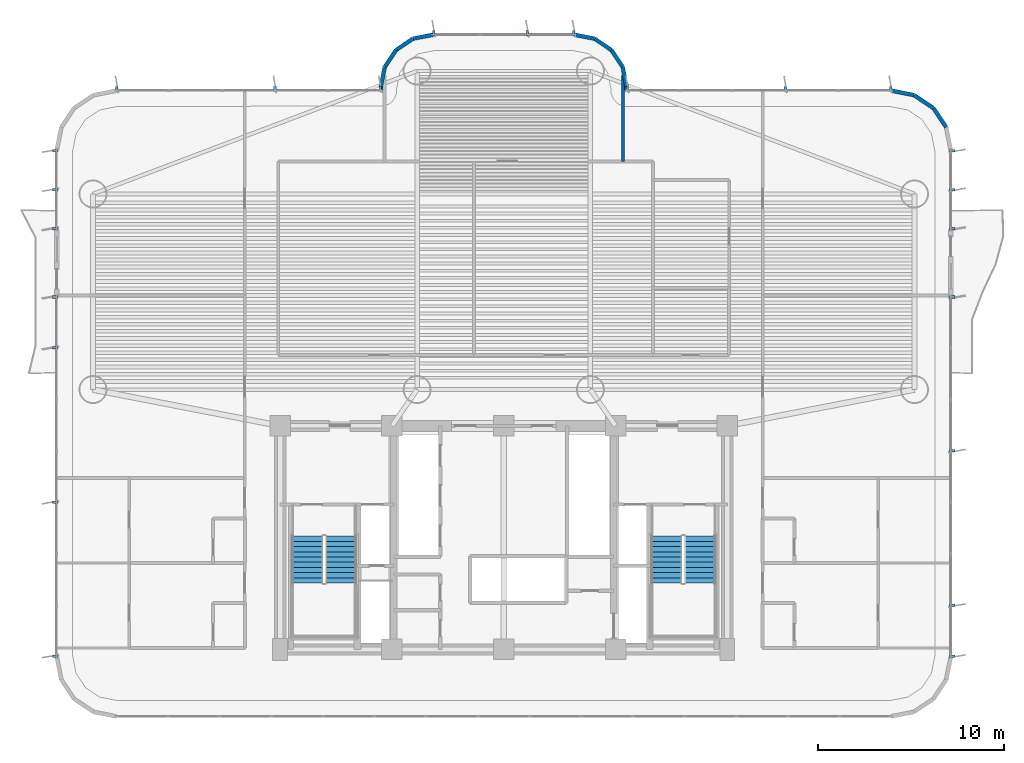
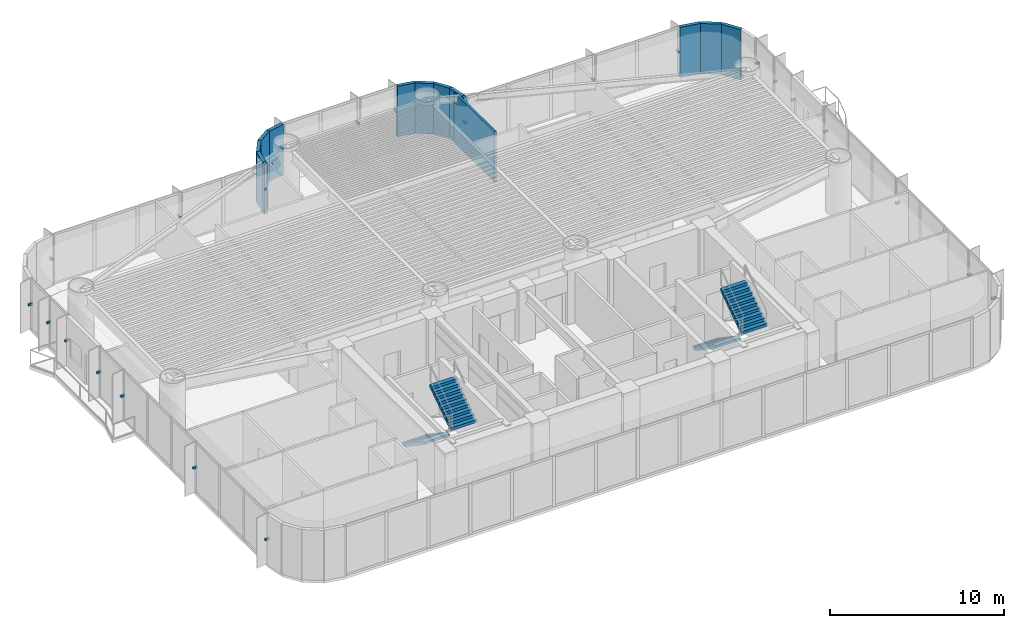
# One storey, part 13 of 17: 23 discrete accessories, 14 walls, 4 stair flights, 2 elements without a shape of their own.
"""IFC4 building model written with IfcOpenShell, lengths in metres."""

from ifc_helpers import new_model, si_unit, direction, frame, frame_2d, origin, origin_2d, place, context, subcontext, project, spatial, polyline, rectangle, outline, extrude, source, transform, mapped, material, layer, layer_set, type_object, element, aggregate, save


model = new_model("IFC4")

# Units and contexts
model_context = context("Model", 3, precision=1e-05, world=origin(), true_north=direction((0.0, 1.0)))
body_context = subcontext(model_context, "Body", "Model", "MODEL_VIEW")
ifc_project = project(units=[si_unit("LENGTHUNIT", "METRE"), si_unit("AREAUNIT", "SQUARE_METRE"), si_unit("VOLUMEUNIT", "CUBIC_METRE"), si_unit("PLANEANGLEUNIT", "RADIAN"), si_unit("MASSUNIT", "GRAM", prefix="KILO")], contexts=[model_context])

# Site, building, storey
site_placement = place(None, origin())
site = spatial("IfcSite", under=ifc_project, at=site_placement, CompositionType="ELEMENT")
building_placement = place(site_placement, origin())
building = spatial("IfcBuilding", under=site, at=building_placement, Name="Brelvock Crest Care Tower", CompositionType="ELEMENT")
storey_placement = place(building_placement, frame((0.0, 0.0, 45.89990234375)))
storey = spatial("IfcBuildingStorey", under=building, at=storey_placement, Name="L11", CompositionType="ELEMENT", Elevation=45.89990234375)

# Walls
ifc_material_1 = material(Name="Precast concrete N40 (40 MPa)", Category="concrete")
ifc_layer_1 = layer(ifc_material_1, 0.215087890625, Name="WL-EX2")
ifc_layer_set_1 = layer_set([ifc_layer_1], Name="Precast concrete N40 (40 MPa)")
wall_type_1 = type_object("IfcWallType", Name="WL-EX2", PredefinedType="SOLIDWALL", material=ifc_layer_set_1)
for number, where, z_axis, x_axis, name in (
    (1, (58.024658203125, 35.75634765625, 0.0), (0.0, 0.0, 1.0), (0.831478245117, -0.555557312883, 0.0), "L11 Rounded Corner Wall 00"),
    (2, (59.062744140625, 35.062744140625, 0.0), (0.0, 0.0, 1.0), (0.555557312883, -0.831478245117, 0.0), "L11 Rounded Corner Wall 01"),
):
    element("IfcWall", number, at=place(storey_placement, frame(where, z_axis=z_axis, x_axis=x_axis)), inside=storey, type_object=wall_type_1, Name=name, PredefinedType="SOLIDWALL", context=body_context, shape_type="SweptSolid", body=[
        extrude(rectangle(XDim=1.24853515625, YDim=0.215087890625, at=frame_2d((0.624267578125, 0.0))), origin(), (0.0, 0.0, 1.0), 3.530029296875),
    ])
wall_1_placement = place(storey_placement, frame((29.39990234375, 36.0, 0.0), z_axis=(0.0, 0.0, 1.0), x_axis=(0.0, 1.0, 0.0)))
element("IfcWall", 3, at=wall_1_placement, inside=storey, type_object=wall_type_1, Name="L11 Rounded Corner Wall 19", PredefinedType="SOLIDWALL", context=body_context, shape_type="SweptSolid", body=[
    extrude(rectangle(XDim=0.199951171875, YDim=0.215087890625, at=frame_2d((0.10009765625, 0.0))), origin(), (0.0, 0.0, 1.0), 3.530029296875),
])
wall_2_placement = place(storey_placement, frame((29.39990234375, 36.199951171875, 0.0), z_axis=(0.0, 0.0, 1.0), x_axis=(0.195084651288, 0.980786408364, 0.0)))
element("IfcWall", 4, at=wall_2_placement, inside=storey, type_object=wall_type_1, Name="L11 Rounded Corner Wall 20", PredefinedType="SOLIDWALL", context=body_context, shape_type="SweptSolid", body=[
    extrude(rectangle(XDim=1.092529296875, YDim=0.215087890625, at=frame_2d((0.54638671875, 0.0))), origin(), (0.0, 0.0, 1.0), 3.530029296875),
])
wall_3_placement = place(storey_placement, frame((29.613037109375, 37.271484375, 0.0), z_axis=(0.0, 0.0, 1.0), x_axis=(0.555679482341, 0.831396603857, 0.0)))
element("IfcWall", 5, at=wall_3_placement, inside=storey, type_object=wall_type_1, Name="L11 Rounded Corner Wall 21", PredefinedType="SOLIDWALL", context=body_context, shape_type="SweptSolid", body=[
    extrude(rectangle(XDim=1.0927734375, YDim=0.215087890625, at=frame_2d((0.54638671875, 0.0))), origin(), (0.0, 0.0, 1.0), 3.530029296875),
])
wall_4_placement = place(storey_placement, frame((30.22021484375, 38.179931640625, 0.0), z_axis=(0.0, 0.0, 1.0), x_axis=(0.831430845238, 0.555628247651, 0.0)))
element("IfcWall", 6, at=wall_4_placement, inside=storey, type_object=wall_type_1, Name="L11 Rounded Corner Wall 22", PredefinedType="SOLIDWALL", context=body_context, shape_type="SweptSolid", body=[
    extrude(rectangle(XDim=1.09228515625, YDim=0.215087890625, at=frame_2d((0.546142578125, 0.0))), origin(), (0.0, 0.0, 1.0), 3.530029296875),
])
for number, where, z_axis, x_axis, name in (
    (7, (31.12841796875, 38.786865234375, 0.0), (0.0, 0.0, 1.0), (0.980786408364, 0.195084651288, 0.0), "L11 Rounded Corner Wall 23"),
    (8, (39.800048828125, 39.0, 0.0), (0.0, 0.0, 1.0), (0.980786408364, -0.195084651288, 0.0), "L11 Rounded Corner Wall 25"),
):
    element("IfcWall", number, at=place(storey_placement, frame(where, z_axis=z_axis, x_axis=x_axis)), inside=storey, type_object=wall_type_1, Name=name, PredefinedType="SOLIDWALL", context=body_context, shape_type="SweptSolid", body=[
        extrude(rectangle(XDim=1.092529296875, YDim=0.215087890625, at=frame_2d((0.54638671875, 0.0))), origin(), (0.0, 0.0, 1.0), 3.530029296875),
    ])
wall_5_placement = place(storey_placement, frame((40.87158203125, 38.786865234375, 0.0), z_axis=(0.0, 0.0, 1.0), x_axis=(0.831430845238, -0.555628247651, 0.0)))
element("IfcWall", 9, at=wall_5_placement, inside=storey, type_object=wall_type_1, Name="L11 Rounded Corner Wall 26", PredefinedType="SOLIDWALL", context=body_context, shape_type="SweptSolid", body=[
    extrude(rectangle(XDim=1.09228515625, YDim=0.215087890625, at=frame_2d((0.546142578125, 0.0))), origin(), (0.0, 0.0, 1.0), 3.530029296875),
])
wall_6_placement = place(storey_placement, frame((41.77978515625, 38.179931640625, 0.0), z_axis=(0.0, 0.0, 1.0), x_axis=(0.555679482341, -0.831396603857, 0.0)))
element("IfcWall", 10, at=wall_6_placement, inside=storey, type_object=wall_type_1, Name="L11 Rounded Corner Wall 27", PredefinedType="SOLIDWALL", context=body_context, shape_type="SweptSolid", body=[
    extrude(rectangle(XDim=1.0927734375, YDim=0.215087890625, at=frame_2d((0.54638671875, 0.0))), origin(), (0.0, 0.0, 1.0), 3.530029296875),
])
wall_7_placement = place(storey_placement, frame((42.386962890625, 37.271484375, 0.0), z_axis=(0.0, 0.0, 1.0), x_axis=(0.195084651288, -0.980786408364, 0.0)))
element("IfcWall", 11, at=wall_7_placement, inside=storey, type_object=wall_type_1, Name="L11 Rounded Corner Wall 28", PredefinedType="SOLIDWALL", context=body_context, shape_type="SweptSolid", body=[
    extrude(rectangle(XDim=1.092529296875, YDim=0.215087890625, at=frame_2d((0.54638671875, 0.0))), origin(), (0.0, 0.0, 1.0), 3.530029296875),
])
wall_8_placement = place(storey_placement, frame((42.60009765625, 36.199951171875, 0.0), z_axis=(0.0, 0.0, 1.0), x_axis=(0.0, -1.0, 0.0)))
element("IfcWall", 12, at=wall_8_placement, inside=storey, type_object=wall_type_1, Name="L11 Rounded Corner Wall 29", PredefinedType="SOLIDWALL", context=body_context, shape_type="SweptSolid", body=[
    extrude(rectangle(XDim=0.199951171875, YDim=0.215087890625, at=frame_2d((0.10009765625, 0.0))), origin(), (0.0, 0.0, 1.0), 3.530029296875),
])
wall_9_placement = place(storey_placement, frame((56.800048828125, 36.0, 0.0), z_axis=(0.0, 0.0, 1.0), x_axis=(0.980775717779, -0.195138390419, 0.0)))
element("IfcWall", 13, at=wall_9_placement, inside=storey, type_object=wall_type_1, Name="L11 Rounded Corner Wall 31", PredefinedType="SOLIDWALL", context=body_context, shape_type="SweptSolid", body=[
    extrude(rectangle(XDim=1.24853515625, YDim=0.215087890625, at=frame_2d((0.624267578125, 0.0))), origin(), (0.0, 0.0, 1.0), 3.530029296875),
])
ifc_material_2 = material(Name="Masonry Blockwork Acoustic Partition", Category="masonry")
ifc_layer_2 = layer(ifc_material_2, 0.14990234375, Name="WL-INT1")
ifc_layer_set_2 = layer_set([ifc_layer_2], Name="Masonry Blockwork Acoustic Partition")
wall_type_2 = type_object("IfcWallType", Name="WL-INT1", PredefinedType="PARTITIONING", material=ifc_layer_set_2)
wall_10_placement = place(storey_placement, frame((42.39990234375, 32.199951171875, 0.0), z_axis=(0.0, 0.0, 1.0), x_axis=(0.0, 1.0, 0.0)))
element("IfcWall", 14, at=wall_10_placement, inside=storey, type_object=wall_type_2, Name="L11 Interior Wall WL-BX-L11-NHUB-E", PredefinedType="PARTITIONING", context=body_context, shape_type="SweptSolid", body=[
    extrude(rectangle(XDim=4.595458984375, YDim=0.14990234375, at=frame_2d((2.2978515625, 0.0))), origin(), (0.0, 0.0, 1.0), 3.5),
])

# Stair, stair flights
ifc_material_3 = material(Name="Concrete N40 (40 MPa)", Category="concrete")
stair_type = type_object("IfcStairType", Name="ST-CORE1", PredefinedType="HALF_TURN_STAIR", material=ifc_material_3)
stair_1_placement = place(storey_placement, origin())
stair_1 = element("IfcStair", 15, at=stair_1_placement, inside=storey, type_object=stair_type, Name="L11 Fire-Isolated Core Stair ST-1", PredefinedType="HALF_TURN_STAIR")
stair_flight_type = type_object("IfcStairFlightType", Name="STF-1", PredefinedType="STRAIGHT", material=ifc_material_3)
stair_flight_1_placement = place(storey_placement, frame((25.469970703125, 12.080078125, 0.0), z_axis=(0.0, 0.0, 1.0), x_axis=(0.0, -1.0, 0.0)))
stair_flight_1 = element("IfcStairFlight", 16, at=stair_flight_1_placement, type_object=stair_flight_type, Name="ST-1 flight 1", NumberOfRisers=10, NumberOfTreads=9, PredefinedType="STRAIGHT", RiserHeight=0.189, TreadLength=0.28, context=body_context, shape_type="SweptSolid", body=[
    extrude(outline(polyline([(-0.00390625, -0.014892578125), (-0.00390625, -0.0078125), (-0.00390625, -0.00048828125), (-0.00390625, 0.0068359375), (-0.00390625, 0.01416015625), (-0.00390625, 0.021484375), (-0.00390625, 0.02880859375), (-0.00390625, 0.035888671875), (-0.00390625, 0.043212890625), (-0.00390625, 0.050537109375), (-0.00390625, 0.057861328125), (-0.00390625, 0.065185546875), (-0.00390625, 0.072509765625), (-0.00390625, 0.07958984375), (-0.00390625, 0.0869140625), (-0.00390625, 0.09423828125), (-0.00390625, 0.1015625), (-0.00390625, 0.10888671875), (-0.00390625, 0.1162109375), (-0.00390625, 0.12353515625), (-0.00390625, 0.130615234375), (-0.00390625, 0.137939453125), (-0.00390625, 0.145263671875), (-0.00390625, 0.152587890625), (-0.00390625, 0.159912109375), (-0.00390625, 0.167236328125), (-0.00390625, 0.17431640625), (-0.00390625, 0.181640625), (-0.00390625, 0.18896484375), (0.0, 0.18896484375), (0.280029296875, 0.18896484375), (0.280029296875, 0.3779296875), (0.56005859375, 0.3779296875), (0.56005859375, 0.56689453125), (0.840087890625, 0.56689453125), (0.840087890625, 0.756103515625), (1.1201171875, 0.756103515625), (1.1201171875, 0.945068359375), (1.39990234375, 0.945068359375), (1.39990234375, 1.134033203125), (1.679931640625, 1.134033203125), (1.679931640625, 1.322998046875), (1.9599609375, 1.322998046875), (1.9599609375, 1.511962890625), (2.239990234375, 1.511962890625), (2.239990234375, 1.700927734375), (2.52001953125, 1.700927734375), (2.52392578125, 1.700927734375), (2.523681640625, 1.70068359375), (2.52392578125, 1.700439453125), (2.523681640625, 1.699951171875), (2.52392578125, 1.69970703125), (2.523681640625, 1.699462890625), (2.52392578125, 1.698974609375), (2.523681640625, 1.69873046875), (2.52392578125, 1.698486328125), (2.523681640625, 1.697998046875), (2.52392578125, 1.69775390625), (2.523681640625, 1.697509765625), (2.52392578125, 1.697021484375), (2.523681640625, 1.69677734375), (2.52392578125, 1.696533203125), (2.523681640625, 1.6962890625), (2.52392578125, 1.69580078125), (2.523681640625, 1.695556640625), (2.52392578125, 1.6953125), (2.523681640625, 1.69482421875), (2.52392578125, 1.694580078125), (2.523681640625, 1.6943359375), (2.52392578125, 1.69384765625), (2.523681640625, 1.693603515625), (2.52392578125, 1.693359375), (2.523681640625, 1.69287109375), (2.52392578125, 1.692626953125), (2.523681640625, 1.6923828125), (2.52392578125, 1.69189453125), (2.52001953125, 1.520263671875), (0.267822265625, 0.0), (0.0, 0.0), (0.0, -0.014892578125), (-0.00390625, -0.014892578125)])), frame((0.0, 0.83984375, 0.0), z_axis=(0.0, -1.0, 0.0), x_axis=(1.0, 0.0, 0.0)), (0.0, 0.0, 1.0), 1.679931640625),
])
stair_flight_2_placement = place(storey_placement, frame((27.27001953125, 9.56005859375, 1.89013671875), z_axis=(0.0, 0.0, 1.0), x_axis=(0.0, 1.0, 0.0)))
stair_flight_2 = element("IfcStairFlight", 17, at=stair_flight_2_placement, type_object=stair_flight_type, Name="ST-1 flight 2", NumberOfRisers=10, NumberOfTreads=9, PredefinedType="STRAIGHT", RiserHeight=0.189, TreadLength=0.28, context=body_context, shape_type="SweptSolid", body=[
    extrude(outline(polyline([(-0.00390625, -0.014892578125), (-0.00390625, -0.0078125), (-0.00390625, -0.00048828125), (-0.00390625, 0.0068359375), (-0.00390625, 0.01416015625), (-0.00390625, 0.021484375), (-0.00390625, 0.02880859375), (-0.00390625, 0.035888671875), (-0.00390625, 0.043212890625), (-0.00390625, 0.050537109375), (-0.00390625, 0.057861328125), (-0.00390625, 0.065185546875), (-0.00390625, 0.072509765625), (-0.00390625, 0.07958984375), (-0.00390625, 0.0869140625), (-0.00390625, 0.09423828125), (-0.00390625, 0.1015625), (-0.00390625, 0.10888671875), (-0.00390625, 0.1162109375), (-0.00390625, 0.12353515625), (-0.00390625, 0.130615234375), (-0.00390625, 0.137939453125), (-0.00390625, 0.145263671875), (-0.00390625, 0.152587890625), (-0.00390625, 0.159912109375), (-0.00390625, 0.167236328125), (-0.00390625, 0.17431640625), (-0.00390625, 0.181640625), (-0.00390625, 0.18896484375), (0.0, 0.18896484375), (0.280029296875, 0.18896484375), (0.280029296875, 0.3779296875), (0.56005859375, 0.3779296875), (0.56005859375, 0.56689453125), (0.840087890625, 0.56689453125), (0.840087890625, 0.756103515625), (1.1201171875, 0.756103515625), (1.1201171875, 0.945068359375), (1.39990234375, 0.945068359375), (1.39990234375, 1.134033203125), (1.679931640625, 1.134033203125), (1.679931640625, 1.322998046875), (1.9599609375, 1.322998046875), (1.9599609375, 1.511962890625), (2.239990234375, 1.511962890625), (2.239990234375, 1.700927734375), (2.52001953125, 1.700927734375), (2.52392578125, 1.700927734375), (2.523681640625, 1.70068359375), (2.52392578125, 1.700439453125), (2.523681640625, 1.699951171875), (2.52392578125, 1.69970703125), (2.523681640625, 1.699462890625), (2.52392578125, 1.698974609375), (2.523681640625, 1.69873046875), (2.52392578125, 1.698486328125), (2.523681640625, 1.697998046875), (2.52392578125, 1.69775390625), (2.523681640625, 1.697509765625), (2.52392578125, 1.697021484375), (2.523681640625, 1.69677734375), (2.52392578125, 1.696533203125), (2.523681640625, 1.6962890625), (2.52392578125, 1.69580078125), (2.523681640625, 1.695556640625), (2.52392578125, 1.6953125), (2.523681640625, 1.69482421875), (2.52392578125, 1.694580078125), (2.523681640625, 1.6943359375), (2.52392578125, 1.69384765625), (2.523681640625, 1.693603515625), (2.52392578125, 1.693359375), (2.523681640625, 1.69287109375), (2.52392578125, 1.692626953125), (2.523681640625, 1.6923828125), (2.52392578125, 1.69189453125), (2.52001953125, 1.520263671875), (0.267822265625, 0.0), (0.0, 0.0), (0.0, -0.014892578125), (-0.00390625, -0.014892578125)])), frame((0.0, 0.83984375, 0.0), z_axis=(0.0, -1.0, 0.0), x_axis=(1.0, 0.0, 0.0)), (0.0, 0.0, 1.0), 1.679931640625),
])
aggregate(stair_1, [stair_flight_1, stair_flight_2])

stair_2_placement = place(storey_placement, origin())
stair_2 = element("IfcStair", 18, at=stair_2_placement, inside=storey, type_object=stair_type, Name="L11 Fire-Isolated Core Stair ST-2", PredefinedType="HALF_TURN_STAIR")
stair_flight_3_placement = place(storey_placement, frame((44.72998046875, 12.080078125, 0.0), z_axis=(0.0, 0.0, 1.0), x_axis=(0.0, -1.0, 0.0)))
stair_flight_3 = element("IfcStairFlight", 19, at=stair_flight_3_placement, type_object=stair_flight_type, Name="ST-2 flight 1", NumberOfRisers=10, NumberOfTreads=9, PredefinedType="STRAIGHT", RiserHeight=0.189, TreadLength=0.28, context=body_context, shape_type="SweptSolid", body=[
    extrude(outline(polyline([(-0.00390625, -0.014892578125), (-0.00390625, -0.0078125), (-0.00390625, -0.00048828125), (-0.00390625, 0.0068359375), (-0.00390625, 0.01416015625), (-0.00390625, 0.021484375), (-0.00390625, 0.02880859375), (-0.00390625, 0.035888671875), (-0.00390625, 0.043212890625), (-0.00390625, 0.050537109375), (-0.00390625, 0.057861328125), (-0.00390625, 0.065185546875), (-0.00390625, 0.072509765625), (-0.00390625, 0.07958984375), (-0.00390625, 0.0869140625), (-0.00390625, 0.09423828125), (-0.00390625, 0.1015625), (-0.00390625, 0.10888671875), (-0.00390625, 0.1162109375), (-0.00390625, 0.12353515625), (-0.00390625, 0.130615234375), (-0.00390625, 0.137939453125), (-0.00390625, 0.145263671875), (-0.00390625, 0.152587890625), (-0.00390625, 0.159912109375), (-0.00390625, 0.167236328125), (-0.00390625, 0.17431640625), (-0.00390625, 0.181640625), (-0.00390625, 0.18896484375), (0.0, 0.18896484375), (0.280029296875, 0.18896484375), (0.280029296875, 0.3779296875), (0.56005859375, 0.3779296875), (0.56005859375, 0.56689453125), (0.840087890625, 0.56689453125), (0.840087890625, 0.756103515625), (1.1201171875, 0.756103515625), (1.1201171875, 0.945068359375), (1.39990234375, 0.945068359375), (1.39990234375, 1.134033203125), (1.679931640625, 1.134033203125), (1.679931640625, 1.322998046875), (1.9599609375, 1.322998046875), (1.9599609375, 1.511962890625), (2.239990234375, 1.511962890625), (2.239990234375, 1.700927734375), (2.52001953125, 1.700927734375), (2.52392578125, 1.700927734375), (2.523681640625, 1.70068359375), (2.52392578125, 1.700439453125), (2.523681640625, 1.699951171875), (2.52392578125, 1.69970703125), (2.523681640625, 1.699462890625), (2.52392578125, 1.698974609375), (2.523681640625, 1.69873046875), (2.52392578125, 1.698486328125), (2.523681640625, 1.697998046875), (2.52392578125, 1.69775390625), (2.523681640625, 1.697509765625), (2.52392578125, 1.697021484375), (2.523681640625, 1.69677734375), (2.52392578125, 1.696533203125), (2.523681640625, 1.6962890625), (2.52392578125, 1.69580078125), (2.523681640625, 1.695556640625), (2.52392578125, 1.6953125), (2.523681640625, 1.69482421875), (2.52392578125, 1.694580078125), (2.523681640625, 1.6943359375), (2.52392578125, 1.69384765625), (2.523681640625, 1.693603515625), (2.52392578125, 1.693359375), (2.523681640625, 1.69287109375), (2.52392578125, 1.692626953125), (2.523681640625, 1.6923828125), (2.52392578125, 1.69189453125), (2.52001953125, 1.520263671875), (0.267822265625, 0.0), (0.0, 0.0), (0.0, -0.014892578125), (-0.00390625, -0.014892578125)])), frame((0.0, 0.83984375, 0.0), z_axis=(0.0, -1.0, 0.0), x_axis=(1.0, 0.0, 0.0)), (0.0, 0.0, 1.0), 1.679931640625),
])
stair_flight_4_placement = place(storey_placement, frame((46.530029296875, 9.56005859375, 1.89013671875), z_axis=(0.0, 0.0, 1.0), x_axis=(0.0, 1.0, 0.0)))
stair_flight_4 = element("IfcStairFlight", 20, at=stair_flight_4_placement, type_object=stair_flight_type, Name="ST-2 flight 2", NumberOfRisers=10, NumberOfTreads=9, PredefinedType="STRAIGHT", RiserHeight=0.189, TreadLength=0.28, context=body_context, shape_type="SweptSolid", body=[
    extrude(outline(polyline([(-0.00390625, -0.014892578125), (-0.00390625, -0.0078125), (-0.00390625, -0.00048828125), (-0.00390625, 0.0068359375), (-0.00390625, 0.01416015625), (-0.00390625, 0.021484375), (-0.00390625, 0.02880859375), (-0.00390625, 0.035888671875), (-0.00390625, 0.043212890625), (-0.00390625, 0.050537109375), (-0.00390625, 0.057861328125), (-0.00390625, 0.065185546875), (-0.00390625, 0.072509765625), (-0.00390625, 0.07958984375), (-0.00390625, 0.0869140625), (-0.00390625, 0.09423828125), (-0.00390625, 0.1015625), (-0.00390625, 0.10888671875), (-0.00390625, 0.1162109375), (-0.00390625, 0.12353515625), (-0.00390625, 0.130615234375), (-0.00390625, 0.137939453125), (-0.00390625, 0.145263671875), (-0.00390625, 0.152587890625), (-0.00390625, 0.159912109375), (-0.00390625, 0.167236328125), (-0.00390625, 0.17431640625), (-0.00390625, 0.181640625), (-0.00390625, 0.18896484375), (0.0, 0.18896484375), (0.280029296875, 0.18896484375), (0.280029296875, 0.3779296875), (0.56005859375, 0.3779296875), (0.56005859375, 0.56689453125), (0.840087890625, 0.56689453125), (0.840087890625, 0.756103515625), (1.1201171875, 0.756103515625), (1.1201171875, 0.945068359375), (1.39990234375, 0.945068359375), (1.39990234375, 1.134033203125), (1.679931640625, 1.134033203125), (1.679931640625, 1.322998046875), (1.9599609375, 1.322998046875), (1.9599609375, 1.511962890625), (2.239990234375, 1.511962890625), (2.239990234375, 1.700927734375), (2.52001953125, 1.700927734375), (2.52392578125, 1.700927734375), (2.523681640625, 1.70068359375), (2.52392578125, 1.700439453125), (2.523681640625, 1.699951171875), (2.52392578125, 1.69970703125), (2.523681640625, 1.699462890625), (2.52392578125, 1.698974609375), (2.523681640625, 1.69873046875), (2.52392578125, 1.698486328125), (2.523681640625, 1.697998046875), (2.52392578125, 1.69775390625), (2.523681640625, 1.697509765625), (2.52392578125, 1.697021484375), (2.523681640625, 1.69677734375), (2.52392578125, 1.696533203125), (2.523681640625, 1.6962890625), (2.52392578125, 1.69580078125), (2.523681640625, 1.695556640625), (2.52392578125, 1.6953125), (2.523681640625, 1.69482421875), (2.52392578125, 1.694580078125), (2.523681640625, 1.6943359375), (2.52392578125, 1.69384765625), (2.523681640625, 1.693603515625), (2.52392578125, 1.693359375), (2.523681640625, 1.69287109375), (2.52392578125, 1.692626953125), (2.523681640625, 1.6923828125), (2.52392578125, 1.69189453125), (2.52001953125, 1.520263671875), (0.267822265625, 0.0), (0.0, 0.0), (0.0, -0.014892578125), (-0.00390625, -0.014892578125)])), frame((0.0, 0.83984375, 0.0), z_axis=(0.0, -1.0, 0.0), x_axis=(1.0, 0.0, 0.0)), (0.0, 0.0, 1.0), 1.679931640625),
])
aggregate(stair_2, [stair_flight_3, stair_flight_4])

# Discrete accessories
ifc_material_4 = material(Name="Steel Grade 350", Category="steel")
discrete_accessory_type = type_object("IfcDiscreteAccessoryType", Name="ACC-BRK1", PredefinedType="BRACKET", material=ifc_material_4)
shared_shape = source(origin(), body_context, "Body", "SweptSolid", [
    extrude(rectangle(XDim=0.280029296875, YDim=0.139892578125, at=origin_2d()), origin(), (0.0, 0.0, 1.0), 0.139892578125),
])
for number, where, z_axis, x_axis, name in (
    (21, (60.080078125, 32.767578125, 1.6953125), (0.0, 0.0, 1.0), (1.0, 0.0, 0.0), "L11 Facade Fin Bracket E03A-01"),
    (22, (60.080078125, 30.675048828125, 1.6953125), (0.0, 0.0, 1.0), (1.0, 0.0, 0.0), "L11 Facade Fin Bracket E03A-02"),
    (23, (60.080078125, 28.58251953125, 1.6953125), (0.0, 0.0, 1.0), (1.0, 0.0, 0.0), "L11 Facade Fin Bracket E03A-03"),
    (24, (60.080078125, 24.91748046875, 1.6953125), (0.0, 0.0, 1.0), (1.0, 0.0, 0.0), "L11 Facade Fin Bracket E03B-01"),
    (25, (60.080078125, 16.656982421875, 1.6953125), (0.0, 0.0, 1.0), (1.0, 0.0, 0.0), "L11 Facade Fin Bracket E03B-04"),
    (26, (60.080078125, 8.3642578125, 1.6953125), (0.0, 0.0, 1.0), (1.0, 0.0, 0.0), "L11 Facade Fin Bracket E03B-07"),
    (27, (60.080078125, 5.632568359375, 1.6953125), (0.0, 0.0, 1.0), (1.0, 0.0, 0.0), "L11 Facade Fin Bracket E03B-08"),
    (28, (11.919921875, 5.632568359375, 1.6953125), (0.0, 0.0, 1.0), (-1.0, 0.0, 0.0), "L11 Facade Fin Bracket E13A-01"),
    (29, (11.919921875, 13.892822265625, 1.6953125), (0.0, 0.0, 1.0), (-1.0, 0.0, 0.0), "L11 Facade Fin Bracket E13A-04"),
    (30, (11.919921875, 22.185791015625, 1.6953125), (0.0, 0.0, 1.0), (-1.0, 0.0, 0.0), "L11 Facade Fin Bracket E13A-07"),
    (31, (11.919921875, 24.91748046875, 1.6953125), (0.0, 0.0, 1.0), (-1.0, 0.0, 0.0), "L11 Facade Fin Bracket E13A-08"),
    (32, (11.919921875, 28.58251953125, 1.6953125), (0.0, 0.0, 1.0), (-1.0, 0.0, 0.0), "L11 Facade Fin Bracket E13B-01"),
    (33, (11.919921875, 30.675048828125, 1.6953125), (0.0, 0.0, 1.0), (-1.0, 0.0, 0.0), "L11 Facade Fin Bracket E13B-02"),
    (34, (11.919921875, 32.767578125, 1.6953125), (0.0, 0.0, 1.0), (-1.0, 0.0, 0.0), "L11 Facade Fin Bracket E13B-03"),
    (35, (15.232421875, 36.080078125, 1.6953125), (0.0, 0.0, 1.0), (0.0, 1.0, 0.0), "L11 Facade Fin Bracket E18-01"),
    (36, (23.719970703125, 36.080078125, 1.6953125), (0.0, 0.0, 1.0), (0.0, 1.0, 0.0), "L11 Facade Fin Bracket E18-04"),
    (37, (29.367431640625, 36.080078125, 1.6953125), (0.0, 0.0, 1.0), (0.0, 1.0, 0.0), "L11 Facade Fin Bracket E18-06"),
    (38, (32.232421875, 39.080078125, 1.6953125), (0.0, 0.0, 1.0), (0.0, 1.0, 0.0), "L11 Facade Fin Bracket E24-01"),
    (39, (37.2666015625, 39.080078125, 1.6953125), (0.0, 0.0, 1.0), (0.0, 1.0, 0.0), "L11 Facade Fin Bracket E24-03"),
    (40, (39.767578125, 39.080078125, 1.6953125), (0.0, 0.0, 1.0), (0.0, 1.0, 0.0), "L11 Facade Fin Bracket E24-04"),
    (41, (42.632568359375, 36.080078125, 1.6953125), (0.0, 0.0, 1.0), (0.0, 1.0, 0.0), "L11 Facade Fin Bracket E30-01"),
    (42, (51.1201171875, 36.080078125, 1.6953125), (0.0, 0.0, 1.0), (0.0, 1.0, 0.0), "L11 Facade Fin Bracket E30-04"),
    (43, (56.767578125, 36.080078125, 1.6953125), (0.0, 0.0, 1.0), (0.0, 1.0, 0.0), "L11 Facade Fin Bracket E30-06"),
):
    element("IfcDiscreteAccessory", number, at=place(storey_placement, frame(where, z_axis=z_axis, x_axis=x_axis)), inside=storey, type_object=discrete_accessory_type, Name=name, PredefinedType="BRACKET", context=body_context, shape_type="MappedRepresentation", body=[
        mapped(shared_shape, transform((0.0, 0.0, 0.0), x_axis=(1.0, 0.0, 0.0), y_axis=(0.0, 1.0, 0.0), z_axis=(0.0, 0.0, 1.0), scale=1.0)),
    ])

save(model, "model.ifc")
